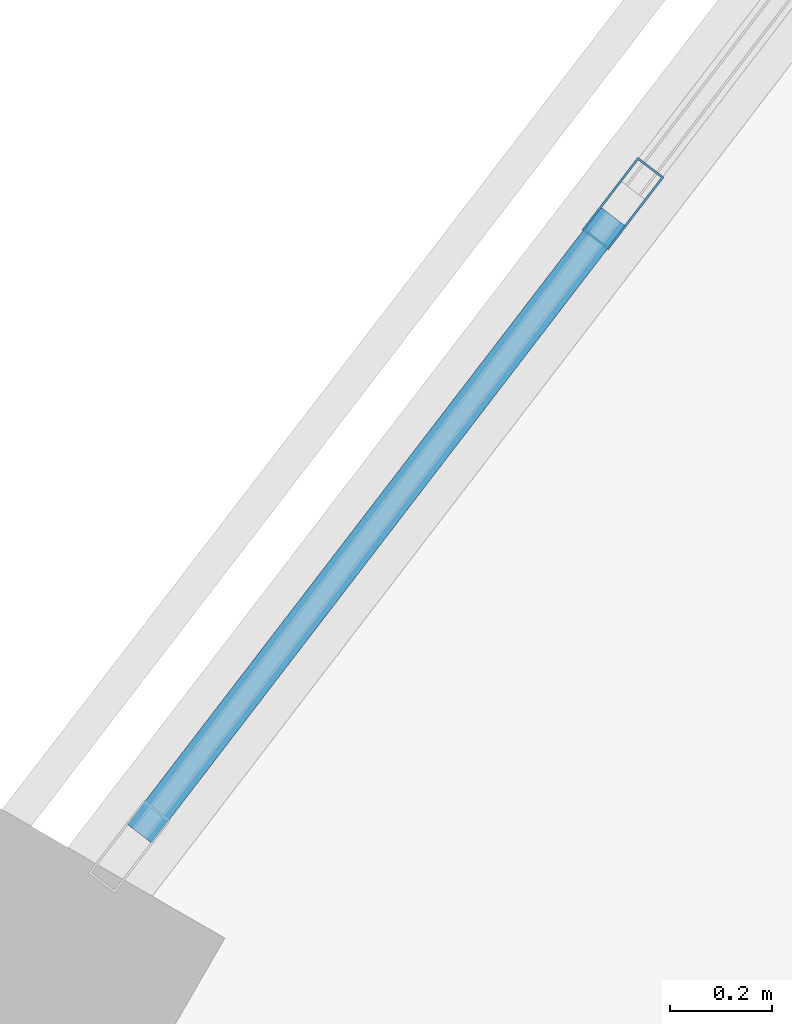
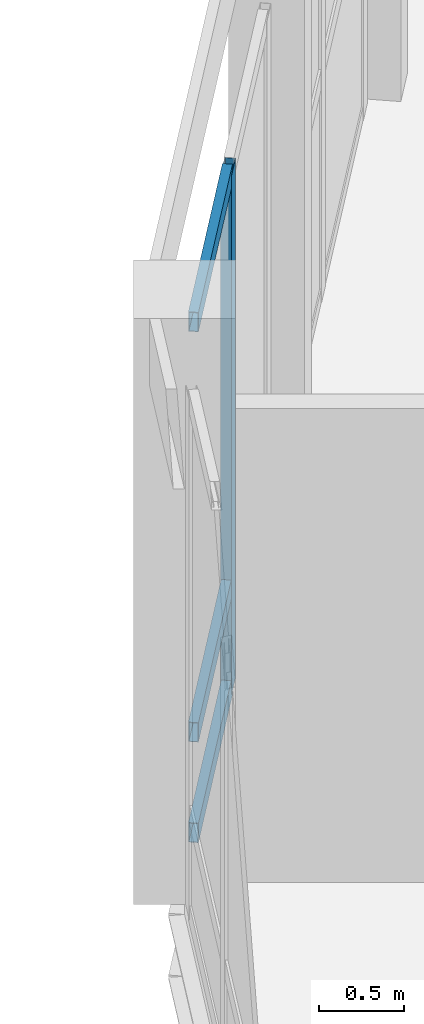
# One storey, part 72 of 185: 4 members, 1 element without a shape of its own.
"""IFC4 building model written with IfcOpenShell, lengths in metres."""

import ifcopenshell
import ifcopenshell.guid

model = None  # the IFC model being written
_history = None  # IfcOwnerHistory: only IFC2X3 demands one
_inside = {}  # id of a spatial element -> (the spatial element, [elements in it])
_under = {}  # id of a project, library or spatial element -> (it, [spatial elements below it])
_declared = {}  # id of a project -> (the project, [libraries it declares])
_typed = {}  # id of a type object -> (the type object, [elements of that type])
_made_of = {}  # id of a material, layer set ... -> (it, [elements and type objects made of it])


def new_model(schema):
    """Start an empty IFC model of exactly this schema.

    Asked for "IFC4X3", IfcOpenShell would pick the latest addendum, in which some entities
    have other attributes; the version numbers below select the first issue.
    IFC2X3 requires an IfcOwnerHistory on every rooted entity: one is made here for all.
    """
    global model, _history
    if schema == "IFC4X3":
        model = ifcopenshell.file(schema_version=(4, 3, 0, 0))
    else:
        model = ifcopenshell.file(schema=schema)
    _inside.clear()
    _under.clear()
    _declared.clear()
    _typed.clear()
    _made_of.clear()
    _history = None
    if model.schema == "IFC2X3":
        org = make("IfcOrganization", Name="unknown")
        user = make(
            "IfcPersonAndOrganization",
            ThePerson=make("IfcPerson", FamilyName="unknown"),
            TheOrganization=org,
        )
        app = make(
            "IfcApplication",
            ApplicationDeveloper=org,
            Version="unknown",
            ApplicationFullName="unknown",
            ApplicationIdentifier="unknown",
        )
        _history = make(
            "IfcOwnerHistory",
            OwningUser=user,
            OwningApplication=app,
            ChangeAction="ADDED",
            CreationDate=0,
        )
    return model


def make(cls, **values):
    """One entity of the class cls with the attributes given. An attribute that is None is left unset."""
    return model.create_entity(
        cls, **{name: value for name, value in values.items() if value is not None}
    )


def rooted(cls, **values):
    """An entity with a GlobalId (a new one), such as an element, a storey or a relation."""
    return make(cls, GlobalId=ifcopenshell.guid.new(), OwnerHistory=_history, **values)


def si_unit(unit_type, name, prefix=None):
    """IfcSIUnit, for example si_unit("LENGTHUNIT", "METRE", prefix="MILLI")."""
    return make("IfcSIUnit", UnitType=unit_type, Prefix=prefix, Name=name)


def assignment(units):
    """IfcUnitAssignment: the units of a project."""
    return None if units is None else make("IfcUnitAssignment", Units=units)


def point(xyz):
    """IfcCartesianPoint."""
    return None if xyz is None else make("IfcCartesianPoint", Coordinates=xyz)


def direction(xyz):
    """IfcDirection."""
    return None if xyz is None else make("IfcDirection", DirectionRatios=xyz)


def frame(location, z_axis=None, x_axis=None):
    """IfcAxis2Placement3D, a coordinate frame: its origin and axes. An axis left out is left unset."""
    return make(
        "IfcAxis2Placement3D",
        Location=point(location),
        Axis=direction(z_axis),
        RefDirection=direction(x_axis),
    )


def frame_2d(location, x_axis=None):
    """IfcAxis2Placement2D, a coordinate frame in the plane: its origin and x axis."""
    return make(
        "IfcAxis2Placement2D", Location=point(location), RefDirection=direction(x_axis)
    )


def origin():
    """The frame at (0, 0, 0) with its axes left unset."""
    return frame((0.0, 0.0, 0.0))


def origin_2d():
    """The frame at (0, 0) in the plane with its x axis left unset."""
    return frame_2d((0.0, 0.0))


def place(relative_to, where):
    """IfcLocalPlacement: puts the frame where relative to a parent placement (None: the world)."""
    return make(
        "IfcLocalPlacement", PlacementRelTo=relative_to, RelativePlacement=where
    )


def context(
    kind, dimensions, precision=None, world=None, true_north=None, identifier=None
):
    """IfcGeometricRepresentationContext, for example the 3D "Model" context."""
    return make(
        "IfcGeometricRepresentationContext",
        ContextIdentifier=identifier,
        ContextType=kind,
        CoordinateSpaceDimension=dimensions,
        Precision=precision,
        WorldCoordinateSystem=world,
        TrueNorth=true_north,
    )


def subcontext(parent, identifier, kind, view, scale=None):
    """IfcGeometricRepresentationSubContext, for example "Body" below "Model"."""
    return make(
        "IfcGeometricRepresentationSubContext",
        ContextIdentifier=identifier,
        ContextType=kind,
        ParentContext=parent,
        TargetScale=scale,
        TargetView=view,
    )


def project(units=None, contexts=None):
    """IfcProject with its units and contexts."""
    return rooted(
        "IfcProject",
        Name="project",
        RepresentationContexts=contexts,
        UnitsInContext=assignment(units),
    )


def spatial(cls, under=None, at=None, **own):
    """A site, building, storey or space (cls), placed at a placement, below another one or the project."""
    s = rooted(cls, ObjectPlacement=at, **own)
    if under is not None:
        _under.setdefault(under.id(), (under, []))[1].append(s)
    return s


def profile(cls, at=None, kind="AREA", **sizes):
    """A parametric profile (cls). Its sizes go by their IFC names, for example OverallWidth=200.0."""
    return make(cls, ProfileType=kind, Position=at, **sizes)


def hollow_rectangle(**sizes):
    """IfcRectangleHollowProfileDef."""
    return profile("IfcRectangleHollowProfileDef", **sizes)


def extrude(swept, where, along, depth):
    """IfcExtrudedAreaSolid: the profile swept, set in the frame where, extruded along a direction by depth."""
    return make(
        "IfcExtrudedAreaSolid",
        SweptArea=swept,
        Position=where,
        ExtrudedDirection=direction(along),
        Depth=depth,
    )


def shape(context_of_items, identifier, shape_type, items):
    """IfcShapeRepresentation: the items that make up one representation, for example the "Body"."""
    return make(
        "IfcShapeRepresentation",
        ContextOfItems=context_of_items,
        RepresentationIdentifier=identifier,
        RepresentationType=shape_type,
        Items=items,
    )


def material(Name=None, Category=None):
    """IfcMaterial."""
    return make("IfcMaterial", Name=Name, Category=Category)


def material_profile(
    of_material, cross_section, Name=None, Category=None, Priority=None
):
    """IfcMaterialProfile: a cross section and its material."""
    return make(
        "IfcMaterialProfile",
        Name=Name,
        Material=of_material,
        Profile=cross_section,
        Priority=Priority,
        Category=Category,
    )


def profile_set(profiles, Name=None, composite=None):
    """IfcMaterialProfileSet."""
    return make(
        "IfcMaterialProfileSet",
        Name=Name,
        MaterialProfiles=profiles,
        CompositeProfile=composite,
    )


def made_of(thing, what):
    """Note that an element or type object is made of a material, layer set ...; save() writes the relation."""
    if what is not None:
        _made_of.setdefault(what.id(), (what, []))[1].append(thing)
    return thing


def type_object(cls, material=None, **own):
    """A type object (cls), such as IfcWallType, which elements share."""
    return made_of(rooted(cls, **own), material)


def element(
    cls,
    number,
    at=None,
    inside=None,
    cuts=None,
    type_object=None,
    material=None,
    context=None,
    identifier="Body",
    shape_type=None,
    held_by="IfcProductDefinitionShape",
    body=None,
    shapes=None,
    **own,
):
    """One element of the class cls, such as IfcWall. Its Tag is "e" and its number.

    at: its placement. inside: the storey or other place that contains it. cuts: it is an
    opening in that element (IfcRelVoidsElement). A single representation is given by context,
    identifier, shape_type and body (its items); several are given by shapes. held_by: the class
    of the entity that holds the representations. save() writes the other relations.
    """
    e = rooted(cls, Tag="e%d" % number, ObjectPlacement=at, **own)
    if body is not None:
        shapes = [shape(context, identifier, shape_type, body)]
    if shapes is not None:
        e.Representation = make(held_by, Representations=shapes)
    if inside is not None:
        _inside.setdefault(inside.id(), (inside, []))[1].append(e)
    if cuts is not None:
        rooted(
            "IfcRelVoidsElement", RelatingBuildingElement=cuts, RelatedOpeningElement=e
        )
    if type_object is not None:
        _typed.setdefault(type_object.id(), (type_object, []))[1].append(e)
    return made_of(e, material)


def aggregate(whole, parts):
    """IfcRelAggregates: a whole, such as a stair, and the parts it consists of."""
    return rooted("IfcRelAggregates", RelatingObject=whole, RelatedObjects=parts)


def save(model, path):
    """Write the relations noted so far, then the file.

    IfcRelAggregates (storeys below a building ...), IfcRelContainedInSpatialStructure (elements
    in a storey), IfcRelDefinesByType, IfcRelAssociatesMaterial and IfcRelDeclares: one each for
    every whole, place, type object, material and project.
    """
    for whole, parts in _under.values():
        aggregate(whole, parts)
    for where, things in _inside.values():
        rooted(
            "IfcRelContainedInSpatialStructure",
            RelatedElements=things,
            RelatingStructure=where,
        )
    for kind, things in _typed.values():
        rooted("IfcRelDefinesByType", RelatedObjects=things, RelatingType=kind)
    for what, things in _made_of.values():
        rooted("IfcRelAssociatesMaterial", RelatedObjects=things, RelatingMaterial=what)
    for by, libraries in _declared.values():
        rooted("IfcRelDeclares", RelatingContext=by, RelatedDefinitions=libraries)
    model.write(path)


model = new_model("IFC4")

# Units and contexts
model_context = context("Model", 3, precision=1e-05, world=origin(), true_north=direction((0.0, 1.0)))
body_context = subcontext(model_context, "Body", "Model", "MODEL_VIEW")
ifc_project = project(units=[si_unit("LENGTHUNIT", "METRE"), si_unit("AREAUNIT", "SQUARE_METRE"), si_unit("VOLUMEUNIT", "CUBIC_METRE"), si_unit("PLANEANGLEUNIT", "RADIAN"), si_unit("MASSUNIT", "GRAM", prefix="KILO")], contexts=[model_context])

# Site, building, storey
site_placement = place(None, origin())
site = spatial("IfcSite", under=ifc_project, at=site_placement, CompositionType="ELEMENT")
building_placement = place(site_placement, origin())
building = spatial("IfcBuilding", under=site, at=building_placement, Name="Vondelvale Polytechnic", CompositionType="ELEMENT")
storey_placement = place(building_placement, frame((0.0, 0.0, 9.60009765625)))
storey = spatial("IfcBuildingStorey", under=building, at=storey_placement, Name="L02", CompositionType="ELEMENT", Elevation=9.60009765625)

# Curtain wall, members
ifc_material_1 = material(Name="Glulam GL18 structural Tasmanian oak (fb = 42 MPa)", Category="wood")
curtain_wall_type = type_object("IfcCurtainWallType", Name="CW-RING-OUTER", PredefinedType="NOTDEFINED", material=ifc_material_1)
curtain_wall_placement = place(storey_placement, origin())
curtain_wall = element("IfcCurtainWall", 1, at=curtain_wall_placement, inside=storey, type_object=curtain_wall_type, Name="L02 architectural curtain wall CW-04-220", PredefinedType="NOTDEFINED")
ifc_material_2 = material(Name="Anodised extruded aluminium 6063-T6", Category="aluminium")
ifc_material_profile_1 = material_profile(ifc_material_2, hollow_rectangle(XDim=0.06494140625, YDim=0.179931640625, WallThickness=0.00390625, at=origin_2d()), Name="CW-MUL-180x65")
ifc_profile_set_1 = profile_set([ifc_material_profile_1], Name="Anodised extruded aluminium 6063-T6")
member_type_1 = type_object("IfcMemberType", Name="CW-MUL-65x180", PredefinedType="MULLION", material=ifc_profile_set_1)
member_1_placement = place(storey_placement, frame((63.356201171875, 96.55517578125, 0.0), z_axis=(0.0, 0.0, 1.0), x_axis=(0.793333825656, -0.608786860133, 0.0)))
member_1 = element("IfcMember", 2, at=member_1_placement, type_object=member_type_1, Name="CW-04-220 mullion 2", PredefinedType="MULLION", context=body_context, shape_type="SweptSolid", body=[
    extrude(hollow_rectangle(XDim=0.06494140625, YDim=0.179931640625, WallThickness=0.00390625, at=origin_2d()), origin(), (0.0, 0.0, 1.0), 3.719970703125),
])
ifc_material_profile_2 = material_profile(ifc_material_2, hollow_rectangle(XDim=0.06005859375, YDim=0.139892578125, WallThickness=0.00341796875, at=origin_2d()), Name="CW-TRN-140x60")
ifc_profile_set_2 = profile_set([ifc_material_profile_2], Name="Anodised extruded aluminium 6063-T6")
member_type_2 = type_object("IfcMemberType", Name="CW-TRN-60x140", PredefinedType="USERDEFINED", material=ifc_profile_set_2)
member_2_placement = place(storey_placement, frame((63.33642578125, 96.529296875, 0.02978515625), z_axis=(-0.608923875222, -0.7932286645, 0.0), x_axis=(0.7932286645, -0.608923875222, 0.0)))
member_2 = element("IfcMember", 3, at=member_2_placement, type_object=member_type_2, Name="CW-04-220 transom 2.1", ObjectType="TRANSOM", PredefinedType="USERDEFINED", context=body_context, shape_type="SweptSolid", body=[
    extrude(hollow_rectangle(XDim=0.06005859375, YDim=0.139892578125, WallThickness=0.00341796875, at=origin_2d()), origin(), (0.0, 0.0, 1.0), 1.530029296875),
])
member_3_placement = place(storey_placement, frame((63.33642578125, 96.529296875, 0.75), z_axis=(-0.608923875222, -0.7932286645, 0.0), x_axis=(0.7932286645, -0.608923875222, 0.0)))
member_3 = element("IfcMember", 4, at=member_3_placement, type_object=member_type_2, Name="CW-04-220 transom 2.2", ObjectType="TRANSOM", PredefinedType="USERDEFINED", context=body_context, shape_type="SweptSolid", body=[
    extrude(hollow_rectangle(XDim=0.06005859375, YDim=0.139892578125, WallThickness=0.00341796875, at=origin_2d()), origin(), (0.0, 0.0, 1.0), 1.530029296875),
])
member_4_placement = place(storey_placement, frame((63.33642578125, 96.529296875, 3.68994140625), z_axis=(-0.608923875222, -0.7932286645, 0.0), x_axis=(0.7932286645, -0.608923875222, 0.0)))
member_4 = element("IfcMember", 5, at=member_4_placement, type_object=member_type_2, Name="CW-04-220 transom 2.3", ObjectType="TRANSOM", PredefinedType="USERDEFINED", context=body_context, shape_type="SweptSolid", body=[
    extrude(hollow_rectangle(XDim=0.06005859375, YDim=0.139892578125, WallThickness=0.00341796875, at=origin_2d()), origin(), (0.0, 0.0, 1.0), 1.530029296875),
])
aggregate(curtain_wall, [member_1, member_2, member_3, member_4])

save(model, "model.ifc")
